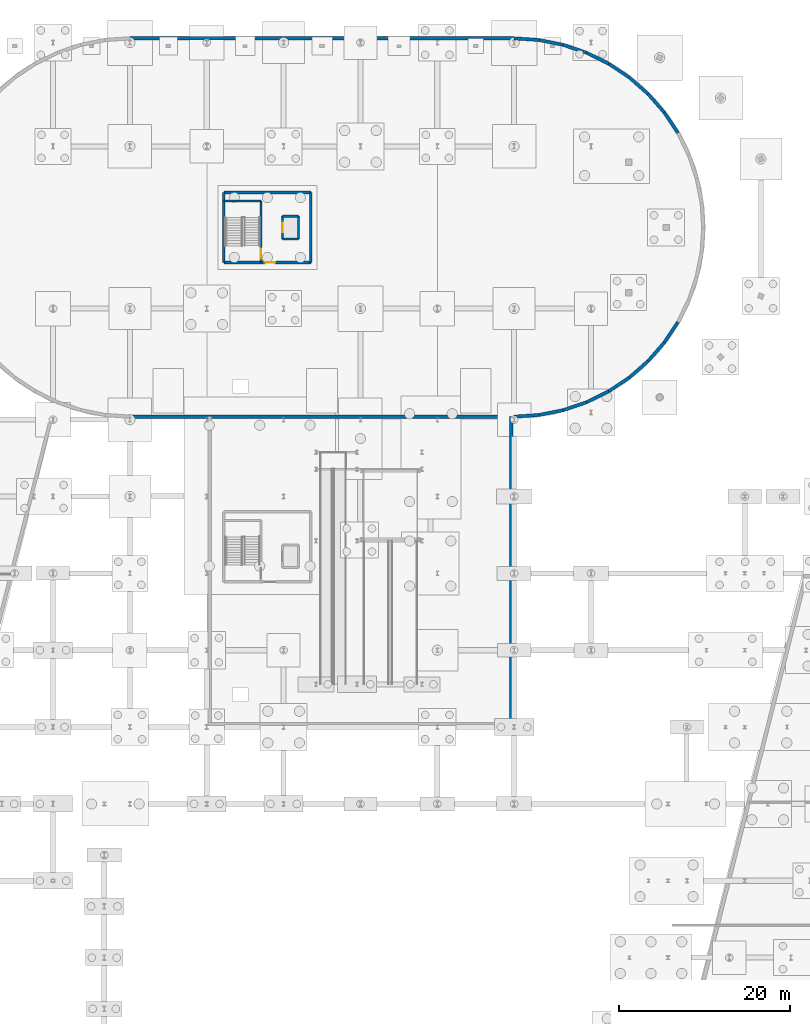
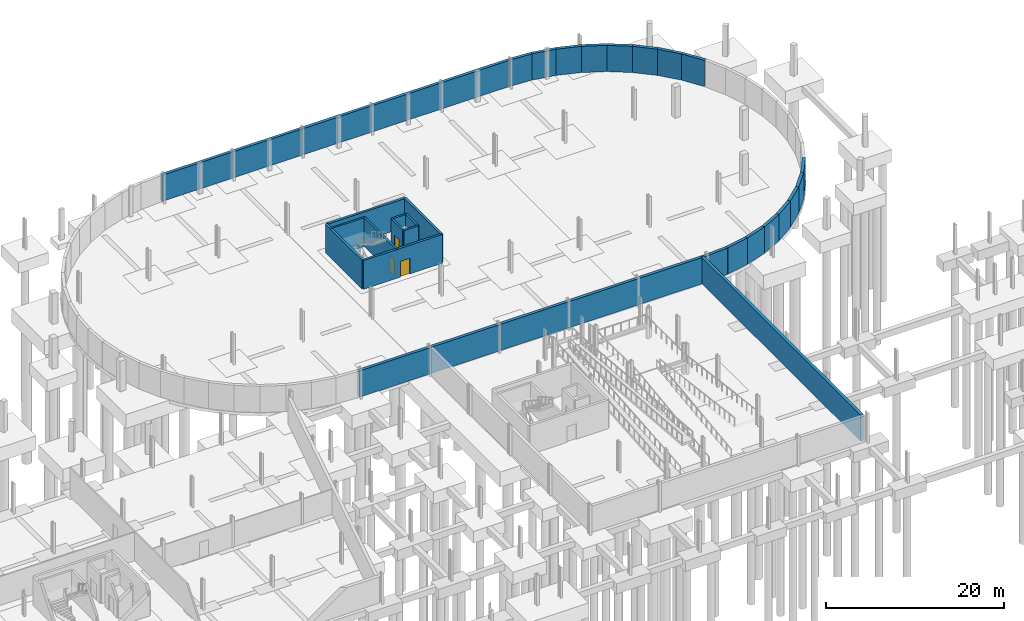
# One storey, part 36 of 42: 29 walls, 3 doors, 3 openings.
"""IFC4 building model written with IfcOpenShell, lengths in metres."""

import ifcopenshell
import ifcopenshell.guid

model = None  # the IFC model being written
_history = None  # IfcOwnerHistory: only IFC2X3 demands one
_inside = {}  # id of a spatial element -> (the spatial element, [elements in it])
_under = {}  # id of a project, library or spatial element -> (it, [spatial elements below it])
_declared = {}  # id of a project -> (the project, [libraries it declares])
_typed = {}  # id of a type object -> (the type object, [elements of that type])
_made_of = {}  # id of a material, layer set ... -> (it, [elements and type objects made of it])


def new_model(schema):
    """Start an empty IFC model of exactly this schema.

    Asked for "IFC4X3", IfcOpenShell would pick the latest addendum, in which some entities
    have other attributes; the version numbers below select the first issue.
    IFC2X3 requires an IfcOwnerHistory on every rooted entity: one is made here for all.
    """
    global model, _history
    if schema == "IFC4X3":
        model = ifcopenshell.file(schema_version=(4, 3, 0, 0))
    else:
        model = ifcopenshell.file(schema=schema)
    _inside.clear()
    _under.clear()
    _declared.clear()
    _typed.clear()
    _made_of.clear()
    _history = None
    if model.schema == "IFC2X3":
        org = make("IfcOrganization", Name="unknown")
        user = make(
            "IfcPersonAndOrganization",
            ThePerson=make("IfcPerson", FamilyName="unknown"),
            TheOrganization=org,
        )
        app = make(
            "IfcApplication",
            ApplicationDeveloper=org,
            Version="unknown",
            ApplicationFullName="unknown",
            ApplicationIdentifier="unknown",
        )
        _history = make(
            "IfcOwnerHistory",
            OwningUser=user,
            OwningApplication=app,
            ChangeAction="ADDED",
            CreationDate=0,
        )
    return model


def make(cls, **values):
    """One entity of the class cls with the attributes given. An attribute that is None is left unset."""
    return model.create_entity(
        cls, **{name: value for name, value in values.items() if value is not None}
    )


def rooted(cls, **values):
    """An entity with a GlobalId (a new one), such as an element, a storey or a relation."""
    return make(cls, GlobalId=ifcopenshell.guid.new(), OwnerHistory=_history, **values)


def si_unit(unit_type, name, prefix=None):
    """IfcSIUnit, for example si_unit("LENGTHUNIT", "METRE", prefix="MILLI")."""
    return make("IfcSIUnit", UnitType=unit_type, Prefix=prefix, Name=name)


def assignment(units):
    """IfcUnitAssignment: the units of a project."""
    return None if units is None else make("IfcUnitAssignment", Units=units)


def point(xyz):
    """IfcCartesianPoint."""
    return None if xyz is None else make("IfcCartesianPoint", Coordinates=xyz)


def direction(xyz):
    """IfcDirection."""
    return None if xyz is None else make("IfcDirection", DirectionRatios=xyz)


def frame(location, z_axis=None, x_axis=None):
    """IfcAxis2Placement3D, a coordinate frame: its origin and axes. An axis left out is left unset."""
    return make(
        "IfcAxis2Placement3D",
        Location=point(location),
        Axis=direction(z_axis),
        RefDirection=direction(x_axis),
    )


def frame_2d(location, x_axis=None):
    """IfcAxis2Placement2D, a coordinate frame in the plane: its origin and x axis."""
    return make(
        "IfcAxis2Placement2D", Location=point(location), RefDirection=direction(x_axis)
    )


def origin():
    """The frame at (0, 0, 0) with its axes left unset."""
    return frame((0.0, 0.0, 0.0))


def place(relative_to, where):
    """IfcLocalPlacement: puts the frame where relative to a parent placement (None: the world)."""
    return make(
        "IfcLocalPlacement", PlacementRelTo=relative_to, RelativePlacement=where
    )


def context(
    kind, dimensions, precision=None, world=None, true_north=None, identifier=None
):
    """IfcGeometricRepresentationContext, for example the 3D "Model" context."""
    return make(
        "IfcGeometricRepresentationContext",
        ContextIdentifier=identifier,
        ContextType=kind,
        CoordinateSpaceDimension=dimensions,
        Precision=precision,
        WorldCoordinateSystem=world,
        TrueNorth=true_north,
    )


def subcontext(parent, identifier, kind, view, scale=None):
    """IfcGeometricRepresentationSubContext, for example "Body" below "Model"."""
    return make(
        "IfcGeometricRepresentationSubContext",
        ContextIdentifier=identifier,
        ContextType=kind,
        ParentContext=parent,
        TargetScale=scale,
        TargetView=view,
    )


def project(units=None, contexts=None):
    """IfcProject with its units and contexts."""
    return rooted(
        "IfcProject",
        Name="project",
        RepresentationContexts=contexts,
        UnitsInContext=assignment(units),
    )


def spatial(cls, under=None, at=None, **own):
    """A site, building, storey or space (cls), placed at a placement, below another one or the project."""
    s = rooted(cls, ObjectPlacement=at, **own)
    if under is not None:
        _under.setdefault(under.id(), (under, []))[1].append(s)
    return s


def profile(cls, at=None, kind="AREA", **sizes):
    """A parametric profile (cls). Its sizes go by their IFC names, for example OverallWidth=200.0."""
    return make(cls, ProfileType=kind, Position=at, **sizes)


def rectangle(**sizes):
    """IfcRectangleProfileDef."""
    return profile("IfcRectangleProfileDef", **sizes)


def extrude(swept, where, along, depth):
    """IfcExtrudedAreaSolid: the profile swept, set in the frame where, extruded along a direction by depth."""
    return make(
        "IfcExtrudedAreaSolid",
        SweptArea=swept,
        Position=where,
        ExtrudedDirection=direction(along),
        Depth=depth,
    )


def shape(context_of_items, identifier, shape_type, items):
    """IfcShapeRepresentation: the items that make up one representation, for example the "Body"."""
    return make(
        "IfcShapeRepresentation",
        ContextOfItems=context_of_items,
        RepresentationIdentifier=identifier,
        RepresentationType=shape_type,
        Items=items,
    )


def material(Name=None, Category=None):
    """IfcMaterial."""
    return make("IfcMaterial", Name=Name, Category=Category)


def layer(
    of_material, thickness, ventilated=None, Name=None, Category=None, Priority=None
):
    """IfcMaterialLayer: one layer of a wall or slab, of a material (None: an air gap)."""
    return make(
        "IfcMaterialLayer",
        Material=of_material,
        LayerThickness=thickness,
        IsVentilated=ventilated,
        Name=Name,
        Category=Category,
        Priority=Priority,
    )


def layer_set(layers, Name=None):
    """IfcMaterialLayerSet."""
    return make("IfcMaterialLayerSet", MaterialLayers=layers, LayerSetName=Name)


def made_of(thing, what):
    """Note that an element or type object is made of a material, layer set ...; save() writes the relation."""
    if what is not None:
        _made_of.setdefault(what.id(), (what, []))[1].append(thing)
    return thing


def type_object(cls, material=None, **own):
    """A type object (cls), such as IfcWallType, which elements share."""
    return made_of(rooted(cls, **own), material)


def element(
    cls,
    number,
    at=None,
    inside=None,
    cuts=None,
    type_object=None,
    material=None,
    context=None,
    identifier="Body",
    shape_type=None,
    held_by="IfcProductDefinitionShape",
    body=None,
    shapes=None,
    **own,
):
    """One element of the class cls, such as IfcWall. Its Tag is "e" and its number.

    at: its placement. inside: the storey or other place that contains it. cuts: it is an
    opening in that element (IfcRelVoidsElement). A single representation is given by context,
    identifier, shape_type and body (its items); several are given by shapes. held_by: the class
    of the entity that holds the representations. save() writes the other relations.
    """
    e = rooted(cls, Tag="e%d" % number, ObjectPlacement=at, **own)
    if body is not None:
        shapes = [shape(context, identifier, shape_type, body)]
    if shapes is not None:
        e.Representation = make(held_by, Representations=shapes)
    if inside is not None:
        _inside.setdefault(inside.id(), (inside, []))[1].append(e)
    if cuts is not None:
        rooted(
            "IfcRelVoidsElement", RelatingBuildingElement=cuts, RelatedOpeningElement=e
        )
    if type_object is not None:
        _typed.setdefault(type_object.id(), (type_object, []))[1].append(e)
    return made_of(e, material)


def fill(opening, filler):
    """IfcRelFillsElement: the door or window that sits in an opening."""
    return rooted(
        "IfcRelFillsElement",
        RelatingOpeningElement=opening,
        RelatedBuildingElement=filler,
    )


def aggregate(whole, parts):
    """IfcRelAggregates: a whole, such as a stair, and the parts it consists of."""
    return rooted("IfcRelAggregates", RelatingObject=whole, RelatedObjects=parts)


def save(model, path):
    """Write the relations noted so far, then the file.

    IfcRelAggregates (storeys below a building ...), IfcRelContainedInSpatialStructure (elements
    in a storey), IfcRelDefinesByType, IfcRelAssociatesMaterial and IfcRelDeclares: one each for
    every whole, place, type object, material and project.
    """
    for whole, parts in _under.values():
        aggregate(whole, parts)
    for where, things in _inside.values():
        rooted(
            "IfcRelContainedInSpatialStructure",
            RelatedElements=things,
            RelatingStructure=where,
        )
    for kind, things in _typed.values():
        rooted("IfcRelDefinesByType", RelatedObjects=things, RelatingType=kind)
    for what, things in _made_of.values():
        rooted("IfcRelAssociatesMaterial", RelatedObjects=things, RelatingMaterial=what)
    for by, libraries in _declared.values():
        rooted("IfcRelDeclares", RelatingContext=by, RelatedDefinitions=libraries)
    model.write(path)


model = new_model("IFC4")

# Units and contexts
model_context = context("Model", 3, precision=1e-05, world=origin(), true_north=direction((0.0, 1.0)))
body_context = subcontext(model_context, "Body", "Model", "MODEL_VIEW")
ifc_project = project(units=[si_unit("LENGTHUNIT", "METRE"), si_unit("AREAUNIT", "SQUARE_METRE"), si_unit("VOLUMEUNIT", "CUBIC_METRE"), si_unit("PLANEANGLEUNIT", "RADIAN"), si_unit("MASSUNIT", "GRAM", prefix="KILO")], contexts=[model_context])

# Site, building, storey
site_placement = place(None, origin())
site = spatial("IfcSite", under=ifc_project, at=site_placement, CompositionType="ELEMENT")
building_placement = place(site_placement, origin())
building = spatial("IfcBuilding", under=site, at=building_placement, Name="Deido Ridge Mobility Hub", CompositionType="ELEMENT")
storey_placement = place(building_placement, frame((0.0, 0.0, -4.199951171875)))
storey = spatial("IfcBuildingStorey", under=building, at=storey_placement, Name="B1", CompositionType="ELEMENT", Elevation=-4.199951171875)

# Walls
ifc_material_1 = material(Name="Concrete C40/50", Category="concrete")
ifc_layer_1 = layer(ifc_material_1, 0.3798828125, Name="Concrete C40/50")
ifc_layer_set_1 = layer_set([ifc_layer_1], Name="Concrete C40/50")
wall_type_1 = type_object("IfcWallType", Name="WL-RET-RC-380", PredefinedType="USERDEFINED", material=ifc_layer_set_1)
wall_1_placement = place(storey_placement, frame((107.64990234375, 45.5400390625, 0.0), z_axis=(0.0, 0.0, 1.0), x_axis=(0.0, 1.0, 0.0)))
element("IfcWall", 1, at=wall_1_placement, inside=storey, type_object=wall_type_1, Name="Basement perimeter retaining wall", ObjectType="RETAINING WALL", PredefinedType="USERDEFINED", context=body_context, shape_type="SweptSolid", body=[
    extrude(rectangle(XDim=35.81005859375, YDim=0.3798828125, at=frame_2d((17.905029296875, 0.0))), origin(), (0.0, 0.0, 1.0), 3.599853515625),
])
wall_2_placement = place(storey_placement, frame((108.0, 81.35009765625, 0.0), z_axis=(0.0, 0.0, 1.0), x_axis=(0.997859834312, 0.065389227447, 0.0)))
element("IfcWall", 2, at=wall_2_placement, inside=storey, type_object=wall_type_1, Name="Basement drum retaining wall", ObjectType="RETAINING WALL", PredefinedType="USERDEFINED", context=body_context, shape_type="SweptSolid", body=[
    extrude(rectangle(XDim=2.897216796875, YDim=0.3798828125, at=frame_2d((1.44873046875, 0.0))), origin(), (0.0, 0.0, 1.0), 3.599853515625),
])
wall_3_placement = place(storey_placement, frame((110.89111328125, 81.53955078125, 0.0), z_axis=(0.0, 0.0, 1.0), x_axis=(0.98079076097, 0.195062767323, 0.0)))
element("IfcWall", 3, at=wall_3_placement, inside=storey, type_object=wall_type_1, Name="Basement drum retaining wall", ObjectType="RETAINING WALL", PredefinedType="USERDEFINED", context=body_context, shape_type="SweptSolid", body=[
    extrude(rectangle(XDim=2.8974609375, YDim=0.3798828125, at=frame_2d((1.44873046875, 0.0))), origin(), (0.0, 0.0, 1.0), 3.599853515625),
])
for number, where, z_axis, x_axis, name in (
    (4, (113.73291015625, 82.104736328125, 0.0), (0.0, 0.0, 1.0), (0.946915957425, 0.321481211852, 0.0), "Basement drum retaining wall"),
    (5, (116.476318359375, 83.0361328125, 0.0), (0.0, 0.0, 1.0), (0.896907498554, 0.44221820297, 0.0), "Basement drum retaining wall"),
):
    element("IfcWall", number, at=place(storey_placement, frame(where, z_axis=z_axis, x_axis=x_axis)), inside=storey, type_object=wall_type_1, Name=name, ObjectType="RETAINING WALL", PredefinedType="USERDEFINED", context=body_context, shape_type="SweptSolid", body=[
        extrude(rectangle(XDim=2.897216796875, YDim=0.3798828125, at=frame_2d((1.44873046875, 0.0))), origin(), (0.0, 0.0, 1.0), 3.599853515625),
    ])
wall_4_placement = place(storey_placement, frame((119.074951171875, 84.3173828125, 0.0), z_axis=(0.0, 0.0, 1.0), x_axis=(0.83145352938, 0.55559430206, 0.0)))
element("IfcWall", 6, at=wall_4_placement, inside=storey, type_object=wall_type_1, Name="Basement drum retaining wall", ObjectType="RETAINING WALL", PredefinedType="USERDEFINED", context=body_context, shape_type="SweptSolid", body=[
    extrude(rectangle(XDim=2.8974609375, YDim=0.3798828125, at=frame_2d((1.44873046875, 0.0))), origin(), (0.0, 0.0, 1.0), 3.599853515625),
])
for number, where, z_axis, x_axis, name in (
    (7, (121.484130859375, 85.92724609375, 0.0), (0.0, 0.0, 1.0), (0.751814075381, 0.659375155779, 0.0), "Basement drum retaining wall"),
    (8, (123.662353515625, 87.837646484375, 0.0), (0.0, 0.0, 1.0), (0.659375155779, 0.751814075381, 0.0), "Basement drum retaining wall"),
):
    element("IfcWall", number, at=place(storey_placement, frame(where, z_axis=z_axis, x_axis=x_axis)), inside=storey, type_object=wall_type_1, Name=name, ObjectType="RETAINING WALL", PredefinedType="USERDEFINED", context=body_context, shape_type="SweptSolid", body=[
        extrude(rectangle(XDim=2.897216796875, YDim=0.3798828125, at=frame_2d((1.44873046875, 0.0))), origin(), (0.0, 0.0, 1.0), 3.599853515625),
    ])
for number, where, z_axis, x_axis, name in (
    (9, (125.57275390625, 90.015869140625, 0.0), (0.0, 0.0, 1.0), (0.55559430206, 0.83145352938, 0.0), "Basement drum retaining wall"),
    (10, (127.1826171875, 114.574951171875, 0.0), (0.0, 0.0, 1.0), (-0.55559430206, 0.83145352938, 0.0), "Basement drum retaining wall"),
):
    element("IfcWall", number, at=place(storey_placement, frame(where, z_axis=z_axis, x_axis=x_axis)), inside=storey, type_object=wall_type_1, Name=name, ObjectType="RETAINING WALL", PredefinedType="USERDEFINED", context=body_context, shape_type="SweptSolid", body=[
        extrude(rectangle(XDim=2.8974609375, YDim=0.3798828125, at=frame_2d((1.44873046875, 0.0))), origin(), (0.0, 0.0, 1.0), 3.599853515625),
    ])
for number, where, z_axis, x_axis, name in (
    (11, (125.57275390625, 116.984130859375, 0.0), (0.0, 0.0, 1.0), (-0.659375155779, 0.751814075381, 0.0), "Basement drum retaining wall"),
    (12, (123.662353515625, 119.162353515625, 0.0), (0.0, 0.0, 1.0), (-0.751814075381, 0.659375155779, 0.0), "Basement drum retaining wall"),
):
    element("IfcWall", number, at=place(storey_placement, frame(where, z_axis=z_axis, x_axis=x_axis)), inside=storey, type_object=wall_type_1, Name=name, ObjectType="RETAINING WALL", PredefinedType="USERDEFINED", context=body_context, shape_type="SweptSolid", body=[
        extrude(rectangle(XDim=2.897216796875, YDim=0.3798828125, at=frame_2d((1.44873046875, 0.0))), origin(), (0.0, 0.0, 1.0), 3.599853515625),
    ])
wall_5_placement = place(storey_placement, frame((121.484130859375, 121.07275390625, 0.0), z_axis=(0.0, 0.0, 1.0), x_axis=(-0.83145352938, 0.55559430206, 0.0)))
element("IfcWall", 13, at=wall_5_placement, inside=storey, type_object=wall_type_1, Name="Basement drum retaining wall", ObjectType="RETAINING WALL", PredefinedType="USERDEFINED", context=body_context, shape_type="SweptSolid", body=[
    extrude(rectangle(XDim=2.8974609375, YDim=0.3798828125, at=frame_2d((1.44873046875, 0.0))), origin(), (0.0, 0.0, 1.0), 3.599853515625),
])
for number, where, z_axis, x_axis, name in (
    (14, (119.074951171875, 122.6826171875, 0.0), (0.0, 0.0, 1.0), (-0.896907498554, 0.44221820297, 0.0), "Basement drum retaining wall"),
    (15, (116.476318359375, 123.9638671875, 0.0), (0.0, 0.0, 1.0), (-0.946915957425, 0.321481211852, 0.0), "Basement drum retaining wall"),
):
    element("IfcWall", number, at=place(storey_placement, frame(where, z_axis=z_axis, x_axis=x_axis)), inside=storey, type_object=wall_type_1, Name=name, ObjectType="RETAINING WALL", PredefinedType="USERDEFINED", context=body_context, shape_type="SweptSolid", body=[
        extrude(rectangle(XDim=2.897216796875, YDim=0.3798828125, at=frame_2d((1.44873046875, 0.0))), origin(), (0.0, 0.0, 1.0), 3.599853515625),
    ])
wall_6_placement = place(storey_placement, frame((113.73291015625, 124.895263671875, 0.0), z_axis=(0.0, 0.0, 1.0), x_axis=(-0.98079076097, 0.195062767323, 0.0)))
element("IfcWall", 16, at=wall_6_placement, inside=storey, type_object=wall_type_1, Name="Basement drum retaining wall", ObjectType="RETAINING WALL", PredefinedType="USERDEFINED", context=body_context, shape_type="SweptSolid", body=[
    extrude(rectangle(XDim=2.8974609375, YDim=0.3798828125, at=frame_2d((1.44873046875, 0.0))), origin(), (0.0, 0.0, 1.0), 3.599853515625),
])
wall_7_placement = place(storey_placement, frame((110.89111328125, 125.46044921875, 0.0), z_axis=(0.0, 0.0, 1.0), x_axis=(-0.997859834312, 0.065389227447, 0.0)))
element("IfcWall", 17, at=wall_7_placement, inside=storey, type_object=wall_type_1, Name="Basement drum retaining wall", ObjectType="RETAINING WALL", PredefinedType="USERDEFINED", context=body_context, shape_type="SweptSolid", body=[
    extrude(rectangle(XDim=2.897216796875, YDim=0.3798828125, at=frame_2d((1.44873046875, 0.0))), origin(), (0.0, 0.0, 1.0), 3.599853515625),
])
for number, where, z_axis, x_axis, name in (
    (18, (108.0, 125.64990234375, 0.0), (0.0, 0.0, 1.0), (-1.0, 0.0, 0.0), "Basement drum retaining wall"),
    (19, (63.0, 81.35009765625, 0.0), (0.0, 0.0, 1.0), (1.0, 0.0, 0.0), "Basement drum retaining wall"),
):
    element("IfcWall", number, at=place(storey_placement, frame(where, z_axis=z_axis, x_axis=x_axis)), inside=storey, type_object=wall_type_1, Name=name, ObjectType="RETAINING WALL", PredefinedType="USERDEFINED", context=body_context, shape_type="SweptSolid", body=[
        extrude(rectangle(XDim=45.0, YDim=0.3798828125, at=frame_2d((22.5, 0.0))), origin(), (0.0, 0.0, 1.0), 3.599853515625),
    ])

# Wall, opening, door
ifc_layer_2 = layer(ifc_material_1, 0.25, Name="Concrete C40/50")
ifc_layer_set_2 = layer_set([ifc_layer_2], Name="Concrete C40/50")
wall_type_2 = type_object("IfcWallType", Name="WL-SHR-RC-250", PredefinedType="SHEAR", material=ifc_layer_set_2)
wall_8_placement = place(storey_placement, frame((78.360107421875, 99.39990234375, 0.0), z_axis=(0.0, 0.0, 1.0), x_axis=(0.0, 1.0, 0.0)))
wall_8 = element("IfcWall", 20, at=wall_8_placement, inside=storey, type_object=wall_type_2, Name="C5 stair shaft east wall", PredefinedType="SHEAR", context=body_context, shape_type="SweptSolid", body=[
    extrude(rectangle(XDim=7.2001953125, YDim=0.25, at=frame_2d((3.60009765625, 0.0))), origin(), (0.0, 0.0, 1.0), 3.93994140625),
])
opening_1_placement = place(wall_8_placement, frame((0.449951171875, 0.0, 0.0)))
opening_1 = element("IfcOpeningElement", 21, at=opening_1_placement, cuts=wall_8, Name="Opening FD-C5-B1", PredefinedType="OPENING", context=body_context, shape_type="SweptSolid", body=[
    extrude(rectangle(XDim=1.14990234375, YDim=2.14990234375, at=frame_2d((0.574951171875, 1.074951171875))), frame((0.0, 0.135009765625, 0.0), z_axis=(0.0, -1.0, 0.0), x_axis=(1.0, 0.0, 0.0)), (0.0, 0.0, 1.0), 0.27001953125),
])
ifc_material_2 = material(Name="Galvanised steel work", Category="steel")
door_type_1 = type_object("IfcDoorType", Name="DR-FD60-1150X2150", OperationType="NOTDEFINED", PredefinedType="DOOR", material=ifc_material_2)
door_1_placement = place(opening_1_placement, origin())
door_1 = element("IfcDoor", 22, at=door_1_placement, inside=storey, type_object=door_type_1, Name="DR-I0100 C5 protected stair door (B1)", OperationType="SINGLE_SWING_LEFT", OverallHeight=2.14990234375, OverallWidth=1.14990234375, PredefinedType="DOOR", context=body_context, shape_type="SweptSolid", body=[
    extrude(rectangle(XDim=1.14990234375, YDim=2.14990234375, at=frame_2d((0.574951171875, 1.074951171875))), frame((0.0, 0.02490234375, 0.0), z_axis=(0.0, -1.0, 0.0), x_axis=(1.0, 0.0, 0.0)), (0.0, 0.0, 1.0), 0.050048828125),
])
fill(opening_1, door_1)

# Walls
wall_9_placement = place(storey_placement, frame((74.0, 106.60009765625, 0.0), z_axis=(0.0, 0.0, 1.0), x_axis=(1.0, 0.0, 0.0)))
element("IfcWall", 23, at=wall_9_placement, inside=storey, type_object=wall_type_2, Name="C5 stair shaft north wall", PredefinedType="SHEAR", context=body_context, shape_type="SweptSolid", body=[
    extrude(rectangle(XDim=4.360107421875, YDim=0.25, at=frame_2d((2.18017578125, 0.0))), origin(), (0.0, 0.0, 1.0), 3.93994140625),
])
for number, where, z_axis, x_axis, name in (
    (24, (80.875, 102.175048828125, 0.0), (0.0, 0.0, 1.0), (1.0, 0.0, 0.0), "Lift PL3 south shaft wall"),
    (25, (80.875, 104.824951171875, 0.0), (0.0, 0.0, 1.0), (1.0, 0.0, 0.0), "Lift PL3 north shaft wall"),
):
    element("IfcWall", number, at=place(storey_placement, frame(where, z_axis=z_axis, x_axis=x_axis)), inside=storey, type_object=wall_type_2, Name=name, PredefinedType="SHEAR", context=body_context, shape_type="SweptSolid", body=[
        extrude(rectangle(XDim=1.85009765625, YDim=0.25, at=frame_2d((0.925048828125, 0.0))), origin(), (0.0, 0.0, 1.0), 3.93994140625),
    ])
wall_10_placement = place(storey_placement, frame((82.72509765625, 102.175048828125, 0.0), z_axis=(0.0, 0.0, 1.0), x_axis=(0.0, 1.0, 0.0)))
element("IfcWall", 26, at=wall_10_placement, inside=storey, type_object=wall_type_2, Name="Lift PL3 rear shaft wall", PredefinedType="SHEAR", context=body_context, shape_type="SweptSolid", body=[
    extrude(rectangle(XDim=2.64990234375, YDim=0.25, at=frame_2d((1.324951171875, 0.0))), origin(), (0.0, 0.0, 1.0), 3.93994140625),
])

# Wall, opening, door
wall_11_placement = place(storey_placement, frame((80.875, 102.175048828125, 0.0), z_axis=(0.0, 0.0, 1.0), x_axis=(0.0, 1.0, 0.0)))
wall_11 = element("IfcWall", 27, at=wall_11_placement, inside=storey, type_object=wall_type_2, Name="Lift PL3 landing wall", PredefinedType="SHEAR", context=body_context, shape_type="SweptSolid", body=[
    extrude(rectangle(XDim=2.64990234375, YDim=0.25, at=frame_2d((1.324951171875, 0.0))), origin(), (0.0, 0.0, 1.0), 3.93994140625),
])
opening_2_placement = place(wall_11_placement, frame((0.77490234375, 0.0, 0.0)))
opening_2 = element("IfcOpeningElement", 28, at=opening_2_placement, cuts=wall_11, Name="Opening LD-PL3", PredefinedType="OPENING", context=body_context, shape_type="SweptSolid", body=[
    extrude(rectangle(XDim=1.10009765625, YDim=2.14990234375, at=frame_2d((0.550048828125, 1.074951171875))), frame((0.0, 0.135009765625, 0.0), z_axis=(0.0, -1.0, 0.0), x_axis=(1.0, 0.0, 0.0)), (0.0, 0.0, 1.0), 0.27001953125),
])
ifc_material_3 = material(Name="Stainless steel 316", Category="steel")
door_type_2 = type_object("IfcDoorType", Name="DR-LND-PAS-1100X2150", OperationType="DOUBLE_DOOR_SLIDING", PredefinedType="USERDEFINED", material=ifc_material_3)
door_2_placement = place(opening_2_placement, origin())
door_2 = element("IfcDoor", 29, at=door_2_placement, inside=storey, type_object=door_type_2, Name="DR-I0102 Lift PL3 sliding landing door (B1)", ObjectType="LANDING DOOR", OperationType="DOUBLE_DOOR_SLIDING", OverallHeight=2.14990234375, OverallWidth=1.10009765625, PredefinedType="USERDEFINED", context=body_context, shape_type="SweptSolid", body=[
    extrude(rectangle(XDim=1.10009765625, YDim=2.14990234375, at=frame_2d((0.550048828125, 1.074951171875))), frame((0.0, 0.02490234375, 0.0), z_axis=(0.0, -1.0, 0.0), x_axis=(1.0, 0.0, 0.0)), (0.0, 0.0, 1.0), 0.050048828125),
])
fill(opening_2, door_2)

ifc_layer_3 = layer(ifc_material_1, 0.300048828125, Name="Concrete C40/50")
ifc_layer_set_3 = layer_set([ifc_layer_3], Name="Concrete C40/50")
wall_type_3 = type_object("IfcWallType", Name="WL-SHR-RC-300", PredefinedType="SHEAR", material=ifc_layer_set_3)
wall_12_placement = place(storey_placement, frame((74.0, 99.39990234375, 0.0), z_axis=(0.0, 0.0, 1.0), x_axis=(1.0, 0.0, 0.0)))
wall_12 = element("IfcWall", 30, at=wall_12_placement, inside=storey, type_object=wall_type_3, Name="C5 south shear wall", PredefinedType="SHEAR", context=body_context, shape_type="SweptSolid", body=[
    extrude(rectangle(XDim=10.199951171875, YDim=0.300048828125, at=frame_2d((5.10009765625, 0.0))), origin(), (0.0, 0.0, 1.0), 3.93994140625),
])
opening_3_placement = place(wall_12_placement, frame((4.800048828125, 0.0, 0.0)))
opening_3 = element("IfcOpeningElement", 31, at=opening_3_placement, cuts=wall_12, Name="Opening LD-C5-101", PredefinedType="OPENING", context=body_context, shape_type="SweptSolid", body=[
    extrude(rectangle(XDim=1.199951171875, YDim=2.14990234375, at=frame_2d((0.60009765625, 1.074951171875))), frame((0.0, 0.16015625, 0.0), z_axis=(0.0, -1.0, 0.0), x_axis=(1.0, 0.0, 0.0)), (0.0, 0.0, 1.0), 0.320068359375),
])
door_type_3 = type_object("IfcDoorType", Name="DR-FD60-1200X2150", OperationType="NOTDEFINED", PredefinedType="DOOR", material=ifc_material_2)
door_3_placement = place(opening_3_placement, origin())
door_3 = element("IfcDoor", 32, at=door_3_placement, inside=storey, type_object=door_type_3, Name="DR-I0101 C5 lift lobby door (B1)", OperationType="SINGLE_SWING_RIGHT", OverallHeight=2.14990234375, OverallWidth=1.199951171875, PredefinedType="DOOR", context=body_context, shape_type="SweptSolid", body=[
    extrude(rectangle(XDim=1.199951171875, YDim=2.14990234375, at=frame_2d((0.60009765625, 1.074951171875))), frame((0.0, 0.02490234375, 0.0), z_axis=(0.0, -1.0, 0.0), x_axis=(1.0, 0.0, 0.0)), (0.0, 0.0, 1.0), 0.050048828125),
])
fill(opening_3, door_3)

# Walls
wall_13_placement = place(storey_placement, frame((84.199951171875, 99.39990234375, 0.0), z_axis=(0.0, 0.0, 1.0), x_axis=(0.0, 1.0, 0.0)))
element("IfcWall", 33, at=wall_13_placement, inside=storey, type_object=wall_type_3, Name="C5 east shear wall", PredefinedType="SHEAR", context=body_context, shape_type="SweptSolid", body=[
    extrude(rectangle(XDim=8.2001953125, YDim=0.300048828125, at=frame_2d((4.10009765625, 0.0))), origin(), (0.0, 0.0, 1.0), 3.93994140625),
])
wall_14_placement = place(storey_placement, frame((84.199951171875, 107.60009765625, 0.0), z_axis=(0.0, 0.0, 1.0), x_axis=(-1.0, 0.0, 0.0)))
element("IfcWall", 34, at=wall_14_placement, inside=storey, type_object=wall_type_3, Name="C5 north shear wall", PredefinedType="SHEAR", context=body_context, shape_type="SweptSolid", body=[
    extrude(rectangle(XDim=10.199951171875, YDim=0.300048828125, at=frame_2d((5.10009765625, 0.0))), origin(), (0.0, 0.0, 1.0), 3.93994140625),
])
wall_15_placement = place(storey_placement, frame((74.0, 107.60009765625, 0.0), z_axis=(0.0, 0.0, 1.0), x_axis=(0.0, -1.0, 0.0)))
element("IfcWall", 35, at=wall_15_placement, inside=storey, type_object=wall_type_3, Name="C5 west shear wall", PredefinedType="SHEAR", context=body_context, shape_type="SweptSolid", body=[
    extrude(rectangle(XDim=8.2001953125, YDim=0.300048828125, at=frame_2d((4.10009765625, 0.0))), origin(), (0.0, 0.0, 1.0), 3.93994140625),
])

save(model, "model.ifc")
